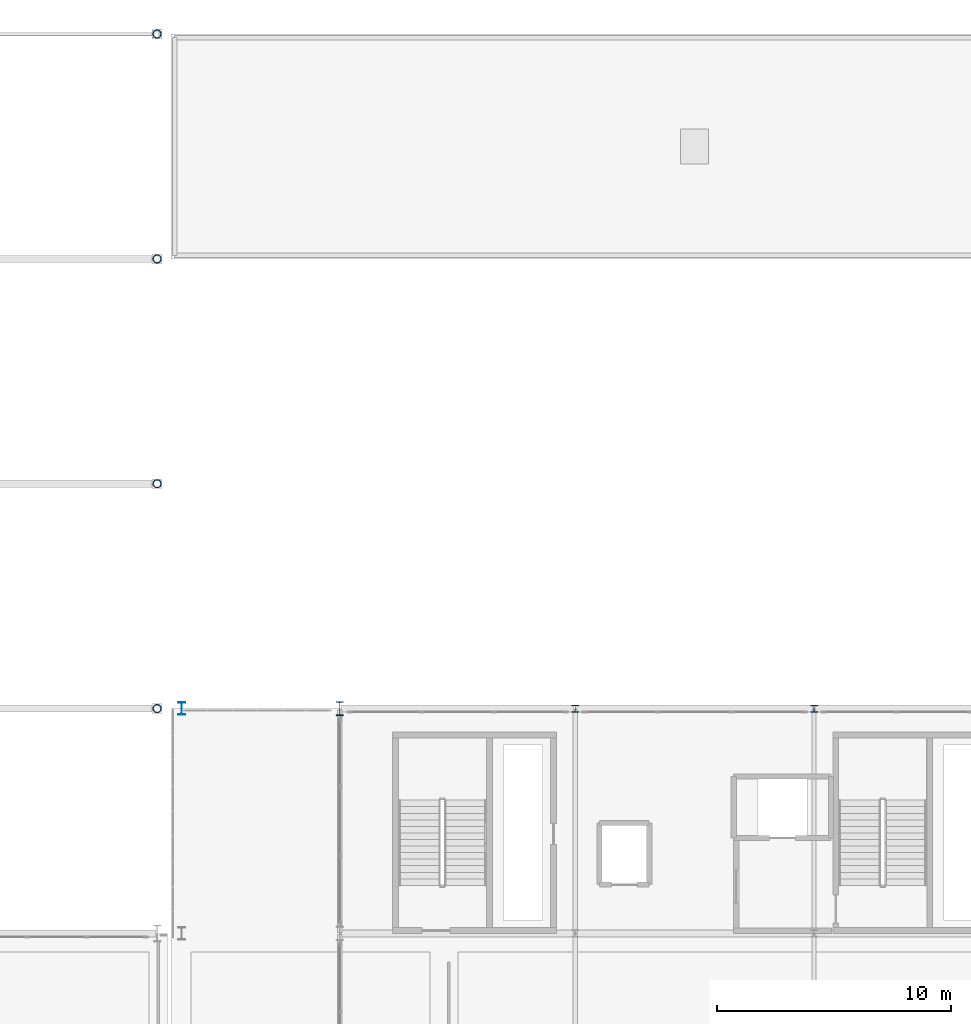
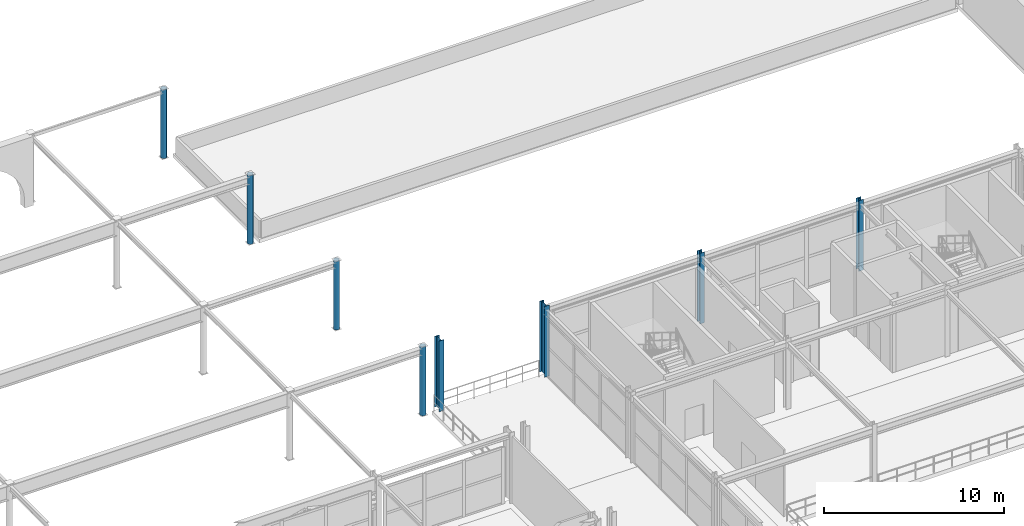
# One storey, part 15 of 125: 8 columns.
"""IFC4 building model written with IfcOpenShell, lengths in metres."""

from ifc_helpers import new_model, si_unit, direction, frame, origin, origin_2d, place, context, subcontext, project, spatial, hollow_circle, i_section, extrude, material, material_profile, profile_set, type_object, element, save


model = new_model("IFC4")

# Units and contexts
model_context = context("Model", 3, precision=1e-05, world=origin(), true_north=direction((0.0, 1.0)))
body_context = subcontext(model_context, "Body", "Model", "MODEL_VIEW")
ifc_project = project(units=[si_unit("LENGTHUNIT", "METRE"), si_unit("AREAUNIT", "SQUARE_METRE"), si_unit("VOLUMEUNIT", "CUBIC_METRE"), si_unit("PLANEANGLEUNIT", "RADIAN"), si_unit("MASSUNIT", "GRAM", prefix="KILO")], contexts=[model_context])

# Site, building, storey
site_placement = place(None, origin())
site = spatial("IfcSite", under=ifc_project, at=site_placement, CompositionType="ELEMENT")
building_placement = place(site_placement, origin())
building = spatial("IfcBuilding", under=site, at=building_placement, Name="Myrtia Square Station", CompositionType="ELEMENT")
storey_placement = place(building_placement, frame((0.0, 0.0, 6.0)))
storey = spatial("IfcBuildingStorey", under=building, at=storey_placement, Name="L01", CompositionType="ELEMENT", Elevation=6.0)

# Columns
ifc_material = material(Name="Steel S355", Category="steel")
ifc_material_profile_1 = material_profile(ifc_material, hollow_circle(Radius=0.177734375, WallThickness=0.02001953125, at=origin_2d()), Name="CHS 355.6x20")
ifc_profile_set_1 = profile_set([ifc_material_profile_1], Name="Steel S355")
column_type_1 = type_object("IfcColumnType", Name="COL-CHS355", PredefinedType="COLUMN", material=ifc_profile_set_1)
for number, where, z_axis, x_axis, name in (
    (1, (71.550048828125, 96.0, 0.0), (0.0, 0.0, 1.0), (1.0, 0.0, 0.0), "Column L01-0231"),
    (2, (71.550048828125, 105.60009765625, 0.0), (0.0, 0.0, 1.0), (1.0, 0.0, 0.0), "Column L01-0234"),
    (3, (71.550048828125, 115.199951171875, 0.0), (0.0, 0.0, 1.0), (1.0, 0.0, 0.0), "Column L01-0237"),
    (4, (71.550048828125, 124.800048828125, 0.0), (0.0, 0.0, 1.0), (1.0, 0.0, 0.0), "Column L01-0240"),
):
    element("IfcColumn", number, at=place(storey_placement, frame(where, z_axis=z_axis, x_axis=x_axis)), inside=storey, type_object=column_type_1, Name=name, PredefinedType="COLUMN", context=body_context, shape_type="SweptSolid", body=[
        extrude(hollow_circle(Radius=0.177734375, WallThickness=0.02001953125, at=origin_2d()), origin(), (0.0, 0.0, 1.0), 4.679931640625),
    ])
ifc_material_profile_2 = material_profile(ifc_material, i_section(OverallWidth=0.300048828125, OverallDepth=0.5400390625, WebThickness=0.012451171875, FlangeThickness=0.02392578125, FilletRadius=0.027099609375, at=origin_2d()), Name="HEA 550")
ifc_profile_set_2 = profile_set([ifc_material_profile_2], Name="Steel S355")
column_type_2 = type_object("IfcColumnType", Name="COL-HEA550", PredefinedType="COLUMN", material=ifc_profile_set_2)
column_1_placement = place(storey_placement, frame((72.60009765625, 96.0, 0.0), z_axis=(0.0, 0.0, 1.0), x_axis=(1.0, 0.0, 0.0)))
element("IfcColumn", 5, at=column_1_placement, inside=storey, type_object=column_type_2, Name="Column L01-0397", PredefinedType="COLUMN", context=body_context, shape_type="SweptSolid", body=[
    extrude(i_section(OverallWidth=0.300048828125, OverallDepth=0.5400390625, WebThickness=0.012451171875, FlangeThickness=0.02392578125, FilletRadius=0.027099609375, at=origin_2d()), origin(), (0.0, 0.0, 1.0), 4.800048828125),
])
ifc_material_profile_3 = material_profile(ifc_material, i_section(OverallWidth=0.300048828125, OverallDepth=0.300048828125, WebThickness=0.010986328125, FlangeThickness=0.01904296875, FilletRadius=0.027099609375, at=origin_2d()), Name="HEB 300")
ifc_profile_set_3 = profile_set([ifc_material_profile_3], Name="Steel S355")
column_type_3 = type_object("IfcColumnType", Name="COL-HEB300", PredefinedType="COLUMN", material=ifc_profile_set_3)
for number, where, z_axis, x_axis, name in (
    (6, (89.39990234375, 96.0, 0.0), (0.0, 0.0, 1.0), (1.0, 0.0, 0.0), "Column L01-0446"),
    (7, (99.60009765625, 96.0, 0.0), (0.0, 0.0, 1.0), (1.0, 0.0, 0.0), "Column L01-0478"),
):
    element("IfcColumn", number, at=place(storey_placement, frame(where, z_axis=z_axis, x_axis=x_axis)), inside=storey, type_object=column_type_3, Name=name, PredefinedType="COLUMN", context=body_context, shape_type="SweptSolid", body=[
        extrude(i_section(OverallWidth=0.300048828125, OverallDepth=0.300048828125, WebThickness=0.010986328125, FlangeThickness=0.01904296875, FilletRadius=0.027099609375, at=origin_2d()), origin(), (0.0, 0.0, 1.0), 4.800048828125),
    ])
ifc_material_profile_4 = material_profile(ifc_material, i_section(OverallWidth=0.300048828125, OverallDepth=0.60009765625, WebThickness=0.015380859375, FlangeThickness=0.030029296875, FilletRadius=0.027099609375, at=origin_2d()), Name="HEB 600")
ifc_profile_set_4 = profile_set([ifc_material_profile_4], Name="Steel S355")
column_type_4 = type_object("IfcColumnType", Name="COL-HEB600", PredefinedType="COLUMN", material=ifc_profile_set_4)
column_2_placement = place(storey_placement, frame((79.35009765625, 96.0, 0.0), z_axis=(0.0, 0.0, 1.0), x_axis=(1.0, 0.0, 0.0)))
element("IfcColumn", 8, at=column_2_placement, inside=storey, type_object=column_type_4, Name="Column L01-0407", PredefinedType="COLUMN", context=body_context, shape_type="SweptSolid", body=[
    extrude(i_section(OverallWidth=0.300048828125, OverallDepth=0.60009765625, WebThickness=0.015380859375, FlangeThickness=0.030029296875, FilletRadius=0.027099609375, at=origin_2d()), origin(), (0.0, 0.0, 1.0), 4.800048828125),
])

save(model, "model.ifc")
